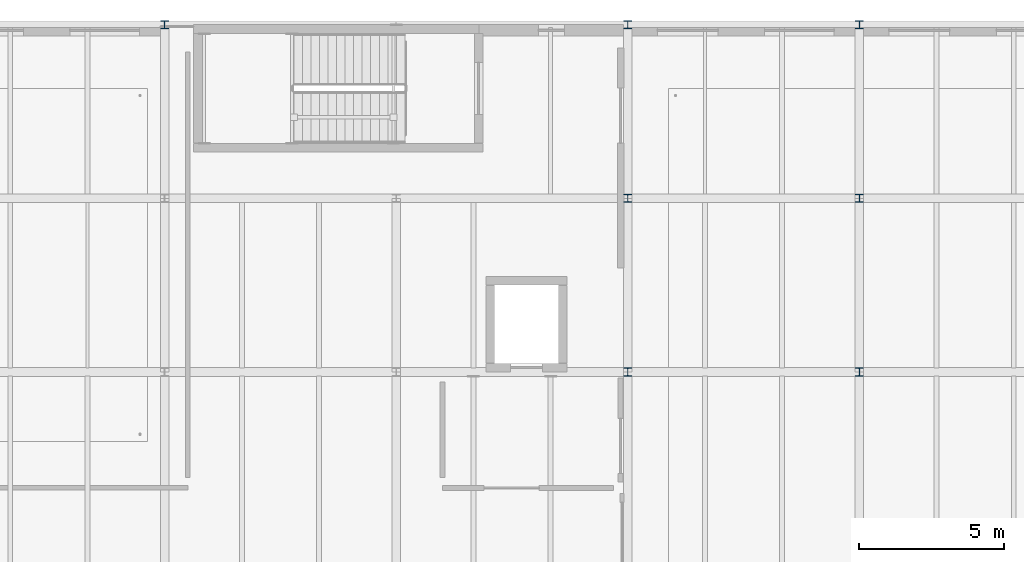
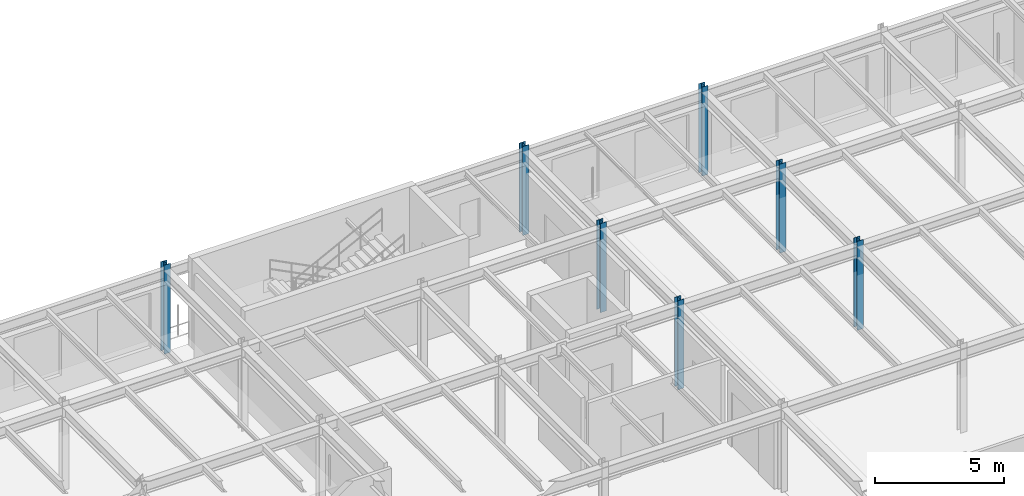
# One storey, part 10 of 122: 7 columns.
"""IFC4 building model written with IfcOpenShell, lengths in metres."""

from ifc_helpers import new_model, si_unit, direction, frame, origin, origin_2d, place, context, subcontext, project, spatial, i_section, extrude, material, material_profile, profile_set, type_object, element, save


model = new_model("IFC4")

# Units and contexts
model_context = context("Model", 3, precision=1e-05, world=origin(), true_north=direction((0.0, 1.0)))
body_context = subcontext(model_context, "Body", "Model", "MODEL_VIEW")
ifc_project = project(units=[si_unit("LENGTHUNIT", "METRE"), si_unit("AREAUNIT", "SQUARE_METRE"), si_unit("VOLUMEUNIT", "CUBIC_METRE"), si_unit("PLANEANGLEUNIT", "RADIAN"), si_unit("MASSUNIT", "GRAM", prefix="KILO")], contexts=[model_context])

# Site, building, storey
site_placement = place(None, origin())
site = spatial("IfcSite", under=ifc_project, at=site_placement, CompositionType="ELEMENT")
building_placement = place(site_placement, origin())
building = spatial("IfcBuilding", under=site, at=building_placement, Name="Sundkrona Museum", CompositionType="ELEMENT")
storey_placement = place(building_placement, frame((0.0, 0.0, 5.39990234375)))
storey = spatial("IfcBuildingStorey", under=building, at=storey_placement, Name="L01", CompositionType="ELEMENT", Elevation=5.39990234375)

# Columns
ifc_material = material(Name="Steel S355J2", Category="steel")
ifc_material_profile = material_profile(ifc_material, i_section(OverallWidth=0.280029296875, OverallDepth=0.280029296875, WebThickness=0.010498046875, FlangeThickness=0.01806640625, FilletRadius=0.02392578125, at=origin_2d()), Name="HEB 280")
ifc_profile_set = profile_set([ifc_material_profile], Name="Steel S355J2")
column_type = type_object("IfcColumnType", Name="C-HEB280", PredefinedType="COLUMN", material=ifc_profile_set)
for number, where, z_axis, x_axis, name in (
    (1, (40.0, 114.0, 0.0), (0.0, 0.0, 1.0), (1.0, 0.0, 0.0), "L01 Column R/6"),
    (2, (56.0, 102.0, 0.0), (0.0, 0.0, 1.0), (1.0, 0.0, 0.0), "L01 Column P/8"),
    (3, (56.0, 108.0, 0.0), (0.0, 0.0, 1.0), (1.0, 0.0, 0.0), "L01 Column Q/8"),
    (4, (56.0, 114.0, 0.0), (0.0, 0.0, 1.0), (1.0, 0.0, 0.0), "L01 Column R/8"),
    (5, (64.0, 102.0, 0.0), (0.0, 0.0, 1.0), (1.0, 0.0, 0.0), "L01 Column P/9"),
    (6, (64.0, 108.0, 0.0), (0.0, 0.0, 1.0), (1.0, 0.0, 0.0), "L01 Column Q/9"),
    (7, (64.0, 114.0, 0.0), (0.0, 0.0, 1.0), (1.0, 0.0, 0.0), "L01 Column R/9"),
):
    element("IfcColumn", number, at=place(storey_placement, frame(where, z_axis=z_axis, x_axis=x_axis)), inside=storey, type_object=column_type, Name=name, PredefinedType="COLUMN", context=body_context, shape_type="SweptSolid", body=[
        extrude(i_section(OverallWidth=0.280029296875, OverallDepth=0.280029296875, WebThickness=0.010498046875, FlangeThickness=0.01806640625, FilletRadius=0.02392578125, at=origin_2d()), origin(), (0.0, 0.0, 1.0), 4.2001953125),
    ])

save(model, "model.ifc")
